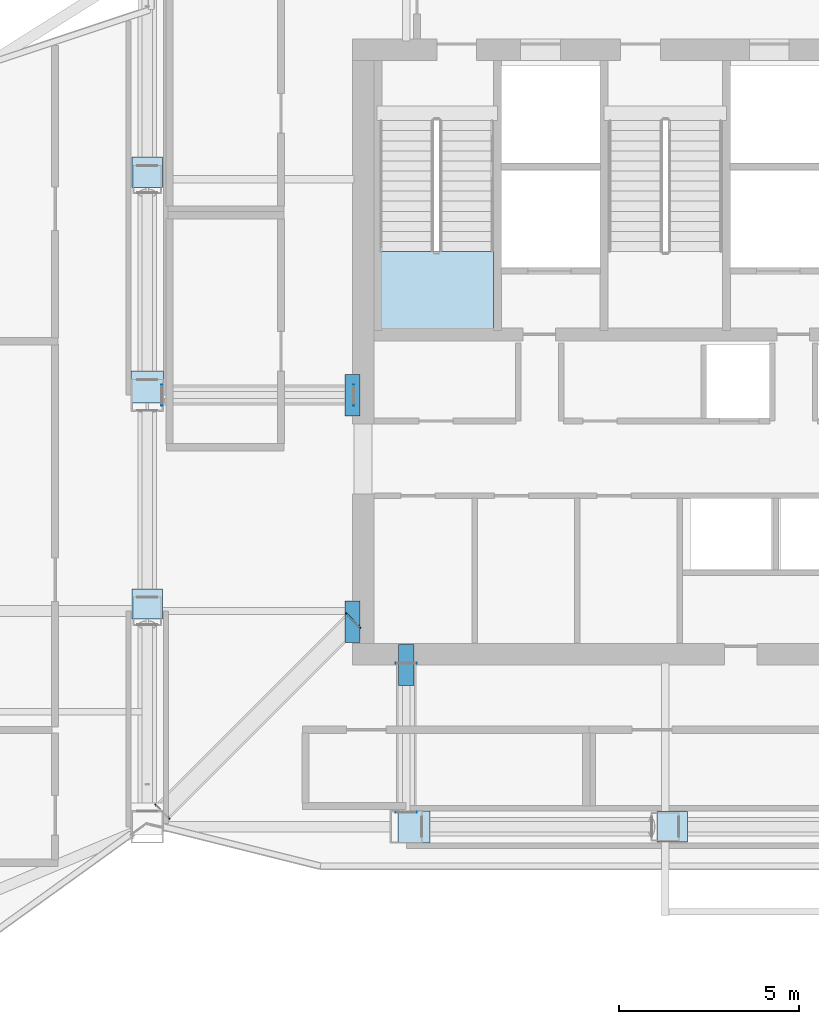
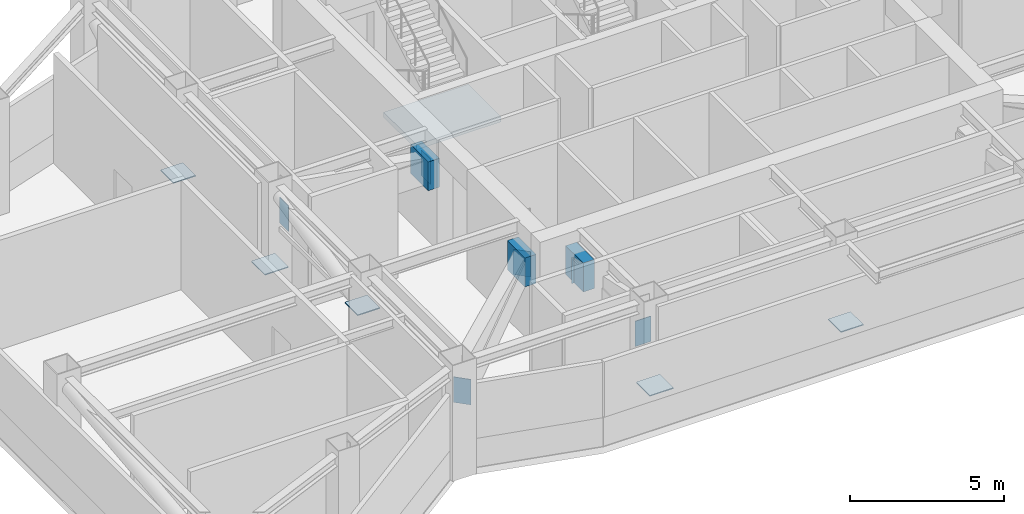
# One storey, part 3 of 19: 14 plates, 1 slab, 1 element without a shape of its own.
"""IFC4 building model written with IfcOpenShell, lengths in metres."""

from ifc_helpers import new_model, si_unit, direction, frame, origin, origin_2d, place, context, subcontext, project, spatial, polyline, rectangle, outline, extrude, material, layer, layer_set, type_object, element, aggregate, save


model = new_model("IFC4")

# Units and contexts
model_context = context("Model", 3, precision=1e-05, world=origin(), true_north=direction((0.0, 1.0)))
body_context = subcontext(model_context, "Body", "Model", "MODEL_VIEW")
ifc_project = project(units=[si_unit("LENGTHUNIT", "METRE"), si_unit("AREAUNIT", "SQUARE_METRE"), si_unit("VOLUMEUNIT", "CUBIC_METRE"), si_unit("PLANEANGLEUNIT", "RADIAN"), si_unit("MASSUNIT", "GRAM", prefix="KILO")], contexts=[model_context])

# Site, building, storey
site_placement = place(None, origin())
site = spatial("IfcSite", under=ifc_project, at=site_placement, CompositionType="ELEMENT")
building_placement = place(site_placement, origin())
building = spatial("IfcBuilding", under=site, at=building_placement, Name="Haolan Belvedere Tower", CompositionType="ELEMENT")
storey_placement = place(building_placement, frame((0.0, 0.0, 230.60009765625)))
storey = spatial("IfcBuildingStorey", under=building, at=storey_placement, Name="L58", CompositionType="ELEMENT", Elevation=230.60009765625)

# Plates
ifc_material_1 = material(Name="Steel Q355B", Category="steel")
ifc_layer_1 = layer(ifc_material_1, 0.02490234375, Name="Steel Q355B")
ifc_layer_set_1 = layer_set([ifc_layer_1], Name="Steel Q355B")
plate_type_1 = type_object("IfcPlateType", Name="PL-CAP-25", PredefinedType="SHEET", material=ifc_layer_set_1)
for number, where, z_axis, x_axis, name in (
    (1, (29.742431640625, 33.60009765625, 2.27490234375), (0.0, 0.0, 1.0), (0.0, 1.0, 0.0), "Hollow steel end-cap plate OR-W1-L58-BC-CAP0"),
    (2, (24.407470703125, 33.60009765625, 2.27490234375), (0.0, 0.0, 1.0), (0.0, -1.0, 0.0), "Hollow steel end-cap plate OR-W1-L58-BC-CAP1"),
    (3, (29.72998046875, 27.330078125, 2.27490234375), (0.0, 0.0, 1.0), (-0.707106781187, 0.707106781187, 0.0), "Hollow steel end-cap plate OR-W2-L58-BC-CAP0"),
    (4, (24.419921875, 22.02001953125, 2.27490234375), (0.0, 0.0, 1.0), (0.707106781187, -0.707106781187, 0.0), "Hollow steel end-cap plate OR-W2-L58-BC-CAP1"),
    (5, (31.199951171875, 26.142578125, 2.27490234375), (0.0, 0.0, 1.0), (-1.0, 0.0, 0.0), "Hollow steel end-cap plate OR-S1-L58-BC-CAP0"),
    (6, (31.199951171875, 22.007568359375, 2.27490234375), (0.0, 0.0, 1.0), (1.0, 0.0, 0.0), "Hollow steel end-cap plate OR-S1-L58-BC-CAP1"),
):
    element("IfcPlate", number, at=place(storey_placement, frame(where, z_axis=z_axis, x_axis=x_axis)), inside=storey, type_object=plate_type_1, Name=name, PredefinedType="SHEET", context=body_context, shape_type="SweptSolid", body=[
        extrude(rectangle(XDim=0.590087890625, YDim=0.02490234375, at=origin_2d()), origin(), (0.0, 0.0, 1.0), 1.010009765625),
    ])
ifc_material_2 = material(Name="Steel Q420GJC", Category="steel")
ifc_layer_2 = layer(ifc_material_2, 0.0400390625, Name="Steel Q420GJC")
ifc_layer_set_2 = layer_set([ifc_layer_2], Name="Steel Q420GJC")
plate_type_2 = type_object("IfcPlateType", Name="PL-NODE-NP02", PredefinedType="USERDEFINED", material=ifc_layer_set_2)
for number, where, z_axis, x_axis, name in (
    (7, (29.699951171875, 33.60009765625, 2.27490234375), (0.0, 0.0, 1.0), (1.0, 0.0, 0.0), "NP-02 outrigger truss core-wall cast-in node plate L58 OR-W1"),
    (8, (29.699951171875, 27.300048828125, 2.27490234375), (0.0, 0.0, 1.0), (1.0, 0.0, 0.0), "NP-02 outrigger truss core-wall cast-in node plate L58 OR-W2"),
    (9, (31.199951171875, 26.10009765625, 2.27490234375), (0.0, 0.0, 1.0), (1.0, 0.0, 0.0), "NP-02 outrigger truss core-wall cast-in node plate L58 OR-S1"),
):
    element("IfcPlate", number, at=place(storey_placement, frame(where, z_axis=z_axis, x_axis=x_axis)), inside=storey, type_object=plate_type_2, Name=name, ObjectType="GUSSET", PredefinedType="USERDEFINED", context=body_context, shape_type="SweptSolid", body=[
        extrude(rectangle(XDim=0.419921875, YDim=1.14990234375, at=origin_2d()), origin(), (0.0, 0.0, 1.0), 1.14990234375),
    ])
ifc_material_3 = material(Name="Steel Q390GJC", Category="steel")
ifc_layer_3 = layer(ifc_material_3, 0.035888671875, Name="Steel Q390GJC")
ifc_layer_set_3 = layer_set([ifc_layer_3], Name="Steel Q390GJC")
plate_type_3 = type_object("IfcPlateType", Name="PL-NODE-NP03", PredefinedType="USERDEFINED", material=ifc_layer_set_3)
plate_1_placement = place(storey_placement, frame((24.0, 27.794921875, 2.8017578125), z_axis=(0.0, 0.0, 1.0), x_axis=(1.0, 0.0, 0.0)))
element("IfcPlate", 10, at=plate_1_placement, inside=storey, type_object=plate_type_3, Name="NP-03 belt truss node plate L58 BT-W2", ObjectType="GUSSET", PredefinedType="USERDEFINED", context=body_context, shape_type="SweptSolid", body=[
    extrude(rectangle(XDim=0.840087890625, YDim=0.840087890625, at=origin_2d()), origin(), (0.0, 0.0, 1.0), 0.035888671875),
])
plate_2_placement = place(storey_placement, frame((24.0, 33.820068359375, 0.78173828125), z_axis=(0.0, 0.0, 1.0), x_axis=(1.0, 0.0, 0.0)))
element("IfcPlate", 11, at=plate_2_placement, inside=storey, type_object=plate_type_3, Name="NP-03 belt truss node plate L58 BT-W3", ObjectType="GUSSET", PredefinedType="USERDEFINED", context=body_context, shape_type="SweptSolid", body=[
    extrude(rectangle(XDim=0.889892578125, YDim=0.889892578125, at=origin_2d()), origin(), (0.0, 0.0, 1.0), 0.035888671875),
])
plate_3_placement = place(storey_placement, frame((24.0, 39.794921875, 0.78173828125), z_axis=(0.0, 0.0, 1.0), x_axis=(1.0, 0.0, 0.0)))
element("IfcPlate", 12, at=plate_3_placement, inside=storey, type_object=plate_type_3, Name="NP-03 belt truss node plate L58 BT-W4", ObjectType="GUSSET", PredefinedType="USERDEFINED", context=body_context, shape_type="SweptSolid", body=[
    extrude(rectangle(XDim=0.840087890625, YDim=0.840087890625, at=origin_2d()), origin(), (0.0, 0.0, 1.0), 0.035888671875),
])
plate_4_placement = place(storey_placement, frame((31.419921875, 21.60009765625, 0.78173828125), z_axis=(0.0, 0.0, 1.0), x_axis=(1.0, 0.0, 0.0)))
element("IfcPlate", 13, at=plate_4_placement, inside=storey, type_object=plate_type_3, Name="NP-03 belt truss node plate L58 BT-S1", ObjectType="GUSSET", PredefinedType="USERDEFINED", context=body_context, shape_type="SweptSolid", body=[
    extrude(rectangle(XDim=0.889892578125, YDim=0.889892578125, at=origin_2d()), origin(), (0.0, 0.0, 1.0), 0.035888671875),
])
plate_5_placement = place(storey_placement, frame((38.594970703125, 21.60009765625, 0.78173828125), z_axis=(0.0, 0.0, 1.0), x_axis=(1.0, 0.0, 0.0)))
element("IfcPlate", 14, at=plate_5_placement, inside=storey, type_object=plate_type_3, Name="NP-03 belt truss node plate L58 BT-S2", ObjectType="GUSSET", PredefinedType="USERDEFINED", context=body_context, shape_type="SweptSolid", body=[
    extrude(rectangle(XDim=0.840087890625, YDim=0.840087890625, at=origin_2d()), origin(), (0.0, 0.0, 1.0), 0.035888671875),
])

# Stair, slab
ifc_material_4 = material(Name="Concrete C40/50", Category="concrete")
stair_type = type_object("IfcStairType", Name="STR-DL-28R-164", PredefinedType="HALF_TURN_STAIR", material=ifc_material_4)
stair_placement = place(storey_placement, origin())
stair = element("IfcStair", 15, at=stair_placement, inside=storey, type_object=stair_type, Name="L58 Smokeproof Core Exit Stair ST1", PredefinedType="HALF_TURN_STAIR")
ifc_layer_4 = layer(ifc_material_4, 0.199951171875, Name="Concrete C40/50")
ifc_layer_set_4 = layer_set([ifc_layer_4], Name="Concrete C40/50")
slab_type = type_object("IfcSlabType", Name="SL-LAND-200", PredefinedType="LANDING", material=ifc_layer_set_4)
slab_placement = place(storey_placement, frame((0.0, 0.0, 2.099853515625)))
slab = element("IfcSlab", 16, at=slab_placement, type_object=slab_type, Name="ST1 landing 1", PredefinedType="LANDING", context=body_context, shape_type="SweptSolid", body=[
    extrude(outline(polyline([(30.449951171875, 37.590087890625), (30.449951171875, 35.449951171875), (33.6298828125, 35.449951171875), (33.6298828125, 37.590087890625), (30.449951171875, 37.590087890625)])), origin(), (0.0, 0.0, 1.0), 0.199951171875),
])
aggregate(stair, [slab])

save(model, "model.ifc")
